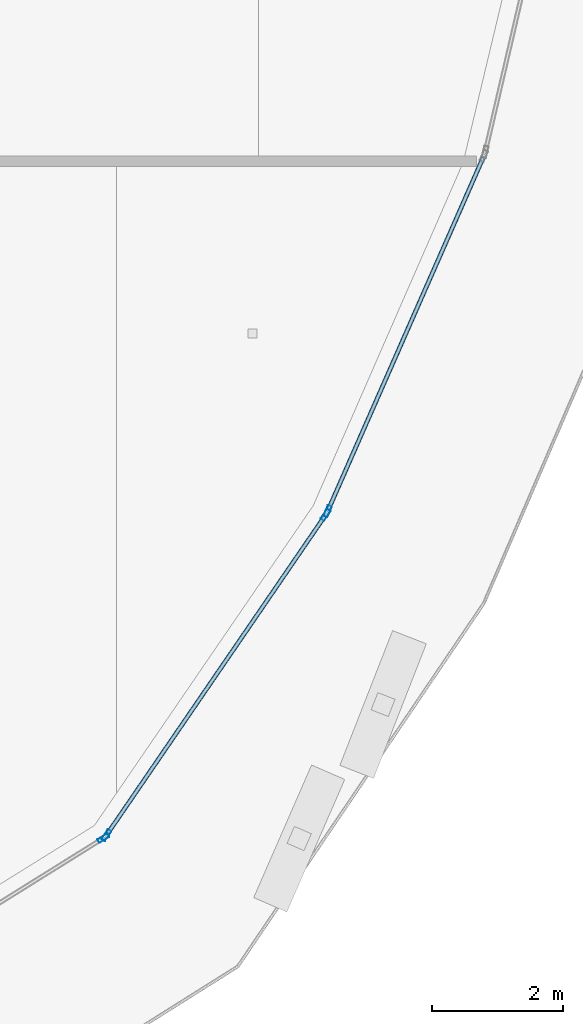
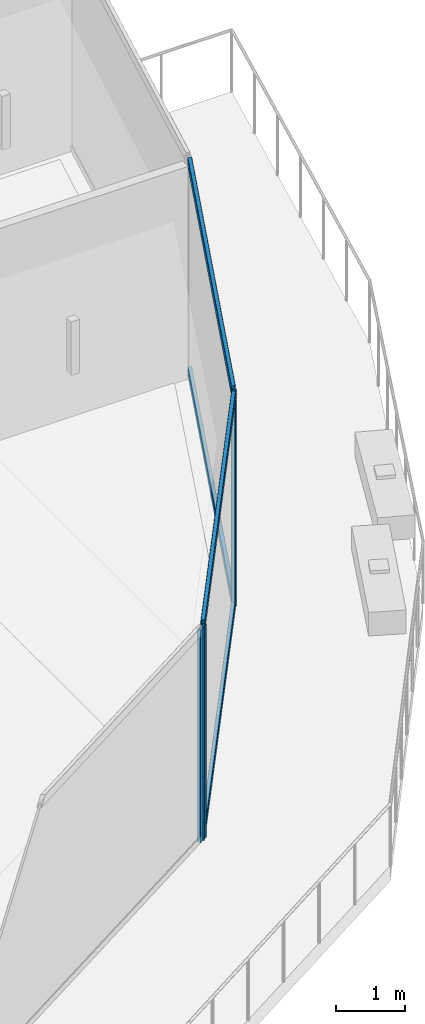
# One storey, part 10 of 33: 8 members, 3 elements without a shape of their own.
"""IFC4 building model written with IfcOpenShell, lengths in metres."""

import ifcopenshell
import ifcopenshell.guid

model = None  # the IFC model being written
_history = None  # IfcOwnerHistory: only IFC2X3 demands one
_inside = {}  # id of a spatial element -> (the spatial element, [elements in it])
_under = {}  # id of a project, library or spatial element -> (it, [spatial elements below it])
_declared = {}  # id of a project -> (the project, [libraries it declares])
_typed = {}  # id of a type object -> (the type object, [elements of that type])
_made_of = {}  # id of a material, layer set ... -> (it, [elements and type objects made of it])


def new_model(schema):
    """Start an empty IFC model of exactly this schema.

    Asked for "IFC4X3", IfcOpenShell would pick the latest addendum, in which some entities
    have other attributes; the version numbers below select the first issue.
    IFC2X3 requires an IfcOwnerHistory on every rooted entity: one is made here for all.
    """
    global model, _history
    if schema == "IFC4X3":
        model = ifcopenshell.file(schema_version=(4, 3, 0, 0))
    else:
        model = ifcopenshell.file(schema=schema)
    _inside.clear()
    _under.clear()
    _declared.clear()
    _typed.clear()
    _made_of.clear()
    _history = None
    if model.schema == "IFC2X3":
        org = make("IfcOrganization", Name="unknown")
        user = make(
            "IfcPersonAndOrganization",
            ThePerson=make("IfcPerson", FamilyName="unknown"),
            TheOrganization=org,
        )
        app = make(
            "IfcApplication",
            ApplicationDeveloper=org,
            Version="unknown",
            ApplicationFullName="unknown",
            ApplicationIdentifier="unknown",
        )
        _history = make(
            "IfcOwnerHistory",
            OwningUser=user,
            OwningApplication=app,
            ChangeAction="ADDED",
            CreationDate=0,
        )
    return model


def make(cls, **values):
    """One entity of the class cls with the attributes given. An attribute that is None is left unset."""
    return model.create_entity(
        cls, **{name: value for name, value in values.items() if value is not None}
    )


def rooted(cls, **values):
    """An entity with a GlobalId (a new one), such as an element, a storey or a relation."""
    return make(cls, GlobalId=ifcopenshell.guid.new(), OwnerHistory=_history, **values)


def si_unit(unit_type, name, prefix=None):
    """IfcSIUnit, for example si_unit("LENGTHUNIT", "METRE", prefix="MILLI")."""
    return make("IfcSIUnit", UnitType=unit_type, Prefix=prefix, Name=name)


def assignment(units):
    """IfcUnitAssignment: the units of a project."""
    return None if units is None else make("IfcUnitAssignment", Units=units)


def point(xyz):
    """IfcCartesianPoint."""
    return None if xyz is None else make("IfcCartesianPoint", Coordinates=xyz)


def direction(xyz):
    """IfcDirection."""
    return None if xyz is None else make("IfcDirection", DirectionRatios=xyz)


def frame(location, z_axis=None, x_axis=None):
    """IfcAxis2Placement3D, a coordinate frame: its origin and axes. An axis left out is left unset."""
    return make(
        "IfcAxis2Placement3D",
        Location=point(location),
        Axis=direction(z_axis),
        RefDirection=direction(x_axis),
    )


def frame_2d(location, x_axis=None):
    """IfcAxis2Placement2D, a coordinate frame in the plane: its origin and x axis."""
    return make(
        "IfcAxis2Placement2D", Location=point(location), RefDirection=direction(x_axis)
    )


def origin():
    """The frame at (0, 0, 0) with its axes left unset."""
    return frame((0.0, 0.0, 0.0))


def origin_2d():
    """The frame at (0, 0) in the plane with its x axis left unset."""
    return frame_2d((0.0, 0.0))


def place(relative_to, where):
    """IfcLocalPlacement: puts the frame where relative to a parent placement (None: the world)."""
    return make(
        "IfcLocalPlacement", PlacementRelTo=relative_to, RelativePlacement=where
    )


def context(
    kind, dimensions, precision=None, world=None, true_north=None, identifier=None
):
    """IfcGeometricRepresentationContext, for example the 3D "Model" context."""
    return make(
        "IfcGeometricRepresentationContext",
        ContextIdentifier=identifier,
        ContextType=kind,
        CoordinateSpaceDimension=dimensions,
        Precision=precision,
        WorldCoordinateSystem=world,
        TrueNorth=true_north,
    )


def subcontext(parent, identifier, kind, view, scale=None):
    """IfcGeometricRepresentationSubContext, for example "Body" below "Model"."""
    return make(
        "IfcGeometricRepresentationSubContext",
        ContextIdentifier=identifier,
        ContextType=kind,
        ParentContext=parent,
        TargetScale=scale,
        TargetView=view,
    )


def project(units=None, contexts=None):
    """IfcProject with its units and contexts."""
    return rooted(
        "IfcProject",
        Name="project",
        RepresentationContexts=contexts,
        UnitsInContext=assignment(units),
    )


def spatial(cls, under=None, at=None, **own):
    """A site, building, storey or space (cls), placed at a placement, below another one or the project."""
    s = rooted(cls, ObjectPlacement=at, **own)
    if under is not None:
        _under.setdefault(under.id(), (under, []))[1].append(s)
    return s


def profile(cls, at=None, kind="AREA", **sizes):
    """A parametric profile (cls). Its sizes go by their IFC names, for example OverallWidth=200.0."""
    return make(cls, ProfileType=kind, Position=at, **sizes)


def hollow_rectangle(**sizes):
    """IfcRectangleHollowProfileDef."""
    return profile("IfcRectangleHollowProfileDef", **sizes)


def extrude(swept, where, along, depth):
    """IfcExtrudedAreaSolid: the profile swept, set in the frame where, extruded along a direction by depth."""
    return make(
        "IfcExtrudedAreaSolid",
        SweptArea=swept,
        Position=where,
        ExtrudedDirection=direction(along),
        Depth=depth,
    )


def shape(context_of_items, identifier, shape_type, items):
    """IfcShapeRepresentation: the items that make up one representation, for example the "Body"."""
    return make(
        "IfcShapeRepresentation",
        ContextOfItems=context_of_items,
        RepresentationIdentifier=identifier,
        RepresentationType=shape_type,
        Items=items,
    )


def material(Name=None, Category=None):
    """IfcMaterial."""
    return make("IfcMaterial", Name=Name, Category=Category)


def layer(
    of_material, thickness, ventilated=None, Name=None, Category=None, Priority=None
):
    """IfcMaterialLayer: one layer of a wall or slab, of a material (None: an air gap)."""
    return make(
        "IfcMaterialLayer",
        Material=of_material,
        LayerThickness=thickness,
        IsVentilated=ventilated,
        Name=Name,
        Category=Category,
        Priority=Priority,
    )


def layer_set(layers, Name=None):
    """IfcMaterialLayerSet."""
    return make("IfcMaterialLayerSet", MaterialLayers=layers, LayerSetName=Name)


def material_profile(
    of_material, cross_section, Name=None, Category=None, Priority=None
):
    """IfcMaterialProfile: a cross section and its material."""
    return make(
        "IfcMaterialProfile",
        Name=Name,
        Material=of_material,
        Profile=cross_section,
        Priority=Priority,
        Category=Category,
    )


def profile_set(profiles, Name=None, composite=None):
    """IfcMaterialProfileSet."""
    return make(
        "IfcMaterialProfileSet",
        Name=Name,
        MaterialProfiles=profiles,
        CompositeProfile=composite,
    )


def made_of(thing, what):
    """Note that an element or type object is made of a material, layer set ...; save() writes the relation."""
    if what is not None:
        _made_of.setdefault(what.id(), (what, []))[1].append(thing)
    return thing


def type_object(cls, material=None, **own):
    """A type object (cls), such as IfcWallType, which elements share."""
    return made_of(rooted(cls, **own), material)


def element(
    cls,
    number,
    at=None,
    inside=None,
    cuts=None,
    type_object=None,
    material=None,
    context=None,
    identifier="Body",
    shape_type=None,
    held_by="IfcProductDefinitionShape",
    body=None,
    shapes=None,
    **own,
):
    """One element of the class cls, such as IfcWall. Its Tag is "e" and its number.

    at: its placement. inside: the storey or other place that contains it. cuts: it is an
    opening in that element (IfcRelVoidsElement). A single representation is given by context,
    identifier, shape_type and body (its items); several are given by shapes. held_by: the class
    of the entity that holds the representations. save() writes the other relations.
    """
    e = rooted(cls, Tag="e%d" % number, ObjectPlacement=at, **own)
    if body is not None:
        shapes = [shape(context, identifier, shape_type, body)]
    if shapes is not None:
        e.Representation = make(held_by, Representations=shapes)
    if inside is not None:
        _inside.setdefault(inside.id(), (inside, []))[1].append(e)
    if cuts is not None:
        rooted(
            "IfcRelVoidsElement", RelatingBuildingElement=cuts, RelatedOpeningElement=e
        )
    if type_object is not None:
        _typed.setdefault(type_object.id(), (type_object, []))[1].append(e)
    return made_of(e, material)


def aggregate(whole, parts):
    """IfcRelAggregates: a whole, such as a stair, and the parts it consists of."""
    return rooted("IfcRelAggregates", RelatingObject=whole, RelatedObjects=parts)


def save(model, path):
    """Write the relations noted so far, then the file.

    IfcRelAggregates (storeys below a building ...), IfcRelContainedInSpatialStructure (elements
    in a storey), IfcRelDefinesByType, IfcRelAssociatesMaterial and IfcRelDeclares: one each for
    every whole, place, type object, material and project.
    """
    for whole, parts in _under.values():
        aggregate(whole, parts)
    for where, things in _inside.values():
        rooted(
            "IfcRelContainedInSpatialStructure",
            RelatedElements=things,
            RelatingStructure=where,
        )
    for kind, things in _typed.values():
        rooted("IfcRelDefinesByType", RelatedObjects=things, RelatingType=kind)
    for what, things in _made_of.values():
        rooted("IfcRelAssociatesMaterial", RelatedObjects=things, RelatingMaterial=what)
    for by, libraries in _declared.values():
        rooted("IfcRelDeclares", RelatingContext=by, RelatedDefinitions=libraries)
    model.write(path)


model = new_model("IFC4")

# Units and contexts
model_context = context("Model", 3, precision=1e-05, world=origin(), true_north=direction((0.0, 1.0)))
body_context = subcontext(model_context, "Body", "Model", "MODEL_VIEW")
ifc_project = project(units=[si_unit("LENGTHUNIT", "METRE"), si_unit("AREAUNIT", "SQUARE_METRE"), si_unit("VOLUMEUNIT", "CUBIC_METRE"), si_unit("PLANEANGLEUNIT", "RADIAN"), si_unit("MASSUNIT", "GRAM", prefix="KILO")], contexts=[model_context])

# Site, building, storey
site_placement = place(None, origin())
site = spatial("IfcSite", under=ifc_project, at=site_placement, CompositionType="ELEMENT")
building_placement = place(site_placement, origin())
building = spatial("IfcBuilding", under=site, at=building_placement, Name="Qorvath Tower", CompositionType="ELEMENT")
storey_placement = place(building_placement, frame((0.0, 0.0, 209.10009765625)))
storey = spatial("IfcBuildingStorey", under=building, at=storey_placement, Name="L48", CompositionType="ELEMENT", Elevation=209.10009765625)

# Curtain wall, member
ifc_material_1 = material(Name="Anodised aluminium and triple low-E glass", Category="aluminium")
ifc_layer = layer(ifc_material_1, 0.179931640625)
ifc_layer_set = layer_set([ifc_layer], Name="CW-SYS-3")
curtain_wall_type = type_object("IfcCurtainWallType", Name="CW-SYS-3", PredefinedType="NOTDEFINED", material=ifc_layer_set)
curtain_wall_1_placement = place(storey_placement, origin())
curtain_wall_1 = element("IfcCurtainWall", 1, at=curtain_wall_1_placement, inside=storey, type_object=curtain_wall_type, Name="Curtain Wall CW-3 CW-T-L48-4.1", PredefinedType="NOTDEFINED")
ifc_material_2 = material(Name="Anodised aluminium 6063-T6", Category="aluminium")
ifc_material_profile_1 = material_profile(ifc_material_2, hollow_rectangle(XDim=0.06494140625, YDim=0.179931640625, WallThickness=0.00341796875, InnerFilletRadius=0.00341796875, OuterFilletRadius=0.007080078125, at=origin_2d()), Name="CWM 180x65")
ifc_profile_set_1 = profile_set([ifc_material_profile_1], Name="Anodised aluminium 6063-T6")
member_type_1 = type_object("IfcMemberType", Name="CWM-180", PredefinedType="MULLION", material=ifc_profile_set_1)
member_1_placement = place(storey_placement, frame((-6.5576171875, -20.573486328125, 0.0), z_axis=(0.0, 0.0, 1.0), x_axis=(-0.529074089173, 0.848575634912, 0.0)))
member_1 = element("IfcMember", 2, at=member_1_placement, type_object=member_type_1, Name="CW-3 mullion 2", PredefinedType="MULLION", context=body_context, shape_type="SweptSolid", body=[
    extrude(hollow_rectangle(XDim=0.06494140625, YDim=0.179931640625, WallThickness=0.00341796875, InnerFilletRadius=0.00341796875, OuterFilletRadius=0.007080078125, at=origin_2d()), origin(), (0.0, 0.0, 1.0), 3.77978515625),
])
aggregate(curtain_wall_1, [member_1])

# Curtain wall, members
curtain_wall_2_placement = place(storey_placement, origin())
curtain_wall_2 = element("IfcCurtainWall", 3, at=curtain_wall_2_placement, inside=storey, type_object=curtain_wall_type, Name="Curtain Wall CW-3 CW-T-L48-5.1", PredefinedType="NOTDEFINED")
member_2_placement = place(storey_placement, frame((-6.51171875, -20.529541015625, 0.0), z_axis=(0.0, 0.0, 1.0), x_axis=(-0.825322881122, 0.564661085871, 0.0)))
member_2 = element("IfcMember", 4, at=member_2_placement, type_object=member_type_1, Name="CW-3 mullion 1", PredefinedType="MULLION", context=body_context, shape_type="SweptSolid", body=[
    extrude(hollow_rectangle(XDim=0.06494140625, YDim=0.179931640625, WallThickness=0.00341796875, InnerFilletRadius=0.00341796875, OuterFilletRadius=0.007080078125, at=origin_2d()), origin(), (0.0, 0.0, 1.0), 3.77978515625),
])
member_3_placement = place(storey_placement, frame((-3.178955078125, -15.658447265625, 0.0), z_axis=(0.0, 0.0, 1.0), x_axis=(-0.825322881122, 0.564661085871, 0.0)))
member_3 = element("IfcMember", 5, at=member_3_placement, type_object=member_type_1, Name="CW-3 mullion 2", PredefinedType="MULLION", context=body_context, shape_type="SweptSolid", body=[
    extrude(hollow_rectangle(XDim=0.06494140625, YDim=0.179931640625, WallThickness=0.00341796875, InnerFilletRadius=0.00341796875, OuterFilletRadius=0.007080078125, at=origin_2d()), origin(), (0.0, 0.0, 1.0), 3.77978515625),
])

# Curtain wall, member
curtain_wall_3_placement = place(storey_placement, origin())
curtain_wall_3 = element("IfcCurtainWall", 6, at=curtain_wall_3_placement, inside=storey, type_object=curtain_wall_type, Name="Curtain Wall CW-3 CW-T-L48-6.1", PredefinedType="NOTDEFINED")
member_4_placement = place(storey_placement, frame((-3.1474609375, -15.601806640625, 0.0), z_axis=(0.0, 0.0, 1.0), x_axis=(-0.91538099818, 0.40258865877, 0.0)))
member_4 = element("IfcMember", 7, at=member_4_placement, type_object=member_type_1, Name="CW-3 mullion 1", PredefinedType="MULLION", context=body_context, shape_type="SweptSolid", body=[
    extrude(hollow_rectangle(XDim=0.06494140625, YDim=0.179931640625, WallThickness=0.00341796875, InnerFilletRadius=0.00341796875, OuterFilletRadius=0.007080078125, at=origin_2d()), origin(), (0.0, 0.0, 1.0), 3.77978515625),
])

# Member
ifc_material_3 = material(Name="Anodised aluminium 6063-T6", Category="aluminium")
ifc_material_profile_2 = material_profile(ifc_material_3, hollow_rectangle(XDim=0.06494140625, YDim=0.159912109375, WallThickness=0.00341796875, InnerFilletRadius=0.00341796875, OuterFilletRadius=0.007080078125, at=origin_2d()), Name="CWT 160x65")
ifc_profile_set_2 = profile_set([ifc_material_profile_2], Name="Anodised aluminium 6063-T6")
member_type_2 = type_object("IfcMemberType", Name="CWT-160", PredefinedType="USERDEFINED", material=ifc_profile_set_2)
member_5_placement = place(storey_placement, frame((-6.493408203125, -20.502685546875, 0.032470703125), z_axis=(0.564688413816, 0.825304183499, 0.0), x_axis=(-0.825304183499, 0.564688413816, 0.0)))
member_5 = element("IfcMember", 8, at=member_5_placement, type_object=member_type_2, Name="CW-3 transom 1.1", ObjectType="TRANSOM", PredefinedType="USERDEFINED", context=body_context, shape_type="SweptSolid", body=[
    extrude(hollow_rectangle(XDim=0.06494140625, YDim=0.159912109375, WallThickness=0.00341796875, InnerFilletRadius=0.00341796875, OuterFilletRadius=0.007080078125, at=origin_2d()), origin(), (0.0, 0.0, 1.0), 5.837158203125),
])

member_6_placement = place(storey_placement, frame((-6.493408203125, -20.502685546875, 3.747314453125), z_axis=(0.564688413816, 0.825304183499, 0.0), x_axis=(-0.825304183499, 0.564688413816, 0.0)))
member_6 = element("IfcMember", 9, at=member_6_placement, type_object=member_type_2, Name="CW-3 transom 1.2", ObjectType="TRANSOM", PredefinedType="USERDEFINED", context=body_context, shape_type="SweptSolid", body=[
    extrude(hollow_rectangle(XDim=0.06494140625, YDim=0.159912109375, WallThickness=0.00341796875, InnerFilletRadius=0.00341796875, OuterFilletRadius=0.007080078125, at=origin_2d()), origin(), (0.0, 0.0, 1.0), 5.837158203125),
])

aggregate(curtain_wall_2, [member_2, member_3, member_5, member_6])

member_7_placement = place(storey_placement, frame((-3.134521484375, -15.572021484375, 0.032470703125), z_axis=(0.40261946772, 0.915367447648, 0.0), x_axis=(-0.915367447648, 0.40261946772, 0.0)))
member_7 = element("IfcMember", 10, at=member_7_placement, type_object=member_type_2, Name="CW-3 transom 1.1", ObjectType="TRANSOM", PredefinedType="USERDEFINED", context=body_context, shape_type="SweptSolid", body=[
    extrude(hollow_rectangle(XDim=0.06494140625, YDim=0.159912109375, WallThickness=0.00341796875, InnerFilletRadius=0.00341796875, OuterFilletRadius=0.007080078125, at=origin_2d()), origin(), (0.0, 0.0, 1.0), 5.8369140625),
])

member_8_placement = place(storey_placement, frame((-3.134521484375, -15.572021484375, 3.747314453125), z_axis=(0.40261946772, 0.915367447648, 0.0), x_axis=(-0.915367447648, 0.40261946772, 0.0)))
member_8 = element("IfcMember", 11, at=member_8_placement, type_object=member_type_2, Name="CW-3 transom 1.2", ObjectType="TRANSOM", PredefinedType="USERDEFINED", context=body_context, shape_type="SweptSolid", body=[
    extrude(hollow_rectangle(XDim=0.06494140625, YDim=0.159912109375, WallThickness=0.00341796875, InnerFilletRadius=0.00341796875, OuterFilletRadius=0.007080078125, at=origin_2d()), origin(), (0.0, 0.0, 1.0), 5.8369140625),
])

aggregate(curtain_wall_3, [member_4, member_7, member_8])

save(model, "model.ifc")
